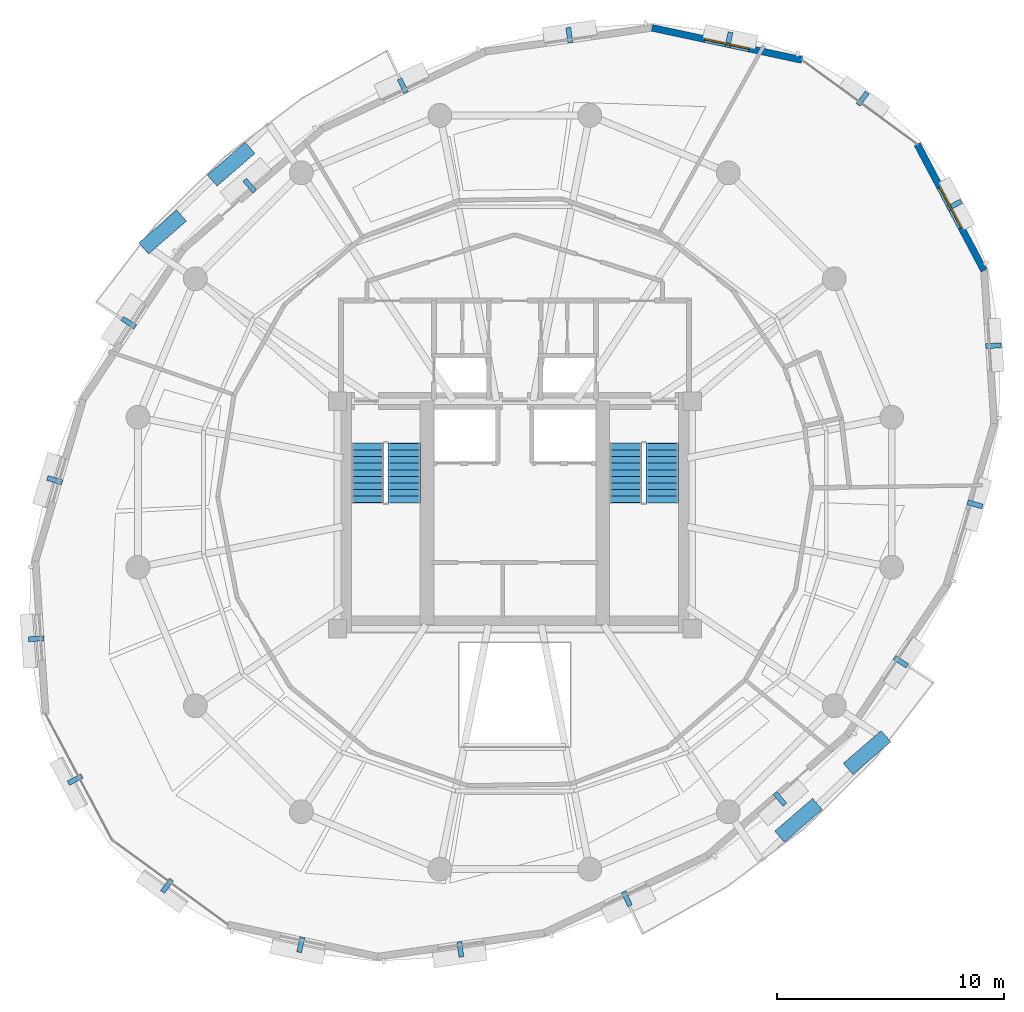
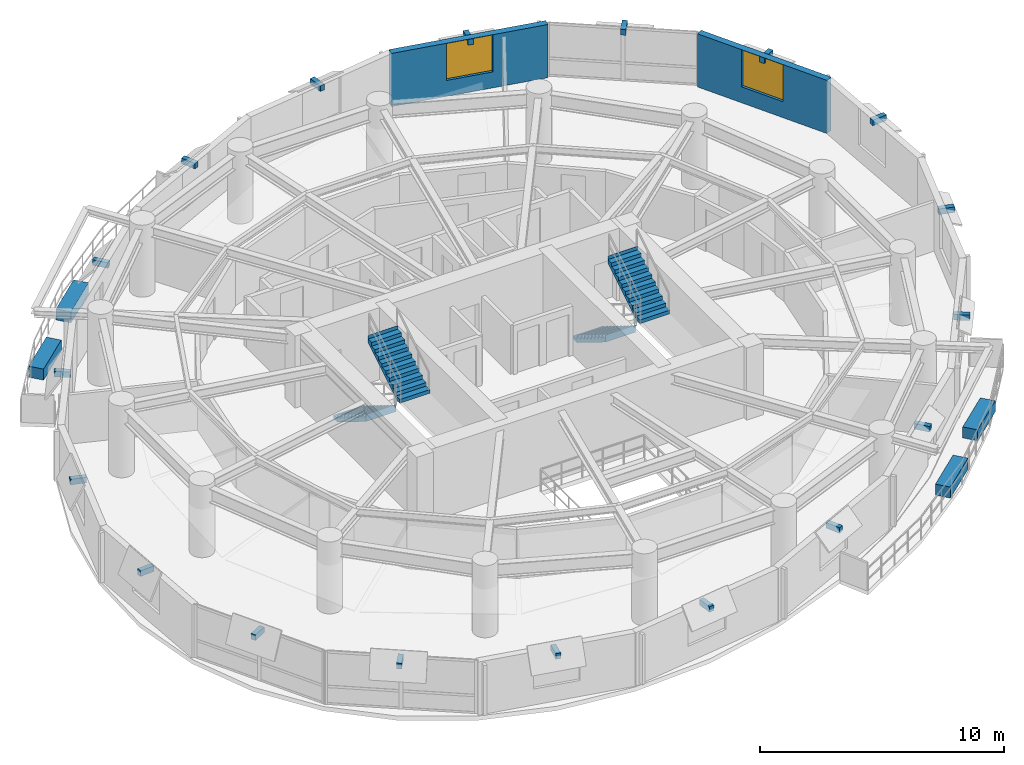
# One storey, part 10 of 12: 22 discrete accessories, 4 stair flights, 2 walls, 2 windows, 2 openings, 2 elements without a shape of their own.
"""IFC4 building model written with IfcOpenShell, lengths in metres."""

from ifc_helpers import new_model, si_unit, direction, frame, frame_2d, origin, origin_2d, place, context, subcontext, project, spatial, polyline, rectangle, outline, extrude, material, layer, layer_set, type_object, element, fill, aggregate, save


model = new_model("IFC4")

# Units and contexts
model_context = context("Model", 3, precision=1e-05, world=origin(), true_north=direction((0.0, 1.0)))
body_context = subcontext(model_context, "Body", "Model", "MODEL_VIEW")
ifc_project = project(units=[si_unit("LENGTHUNIT", "METRE"), si_unit("AREAUNIT", "SQUARE_METRE"), si_unit("VOLUMEUNIT", "CUBIC_METRE"), si_unit("PLANEANGLEUNIT", "RADIAN"), si_unit("MASSUNIT", "GRAM", prefix="KILO"), si_unit("THERMODYNAMICTEMPERATUREUNIT", "KELVIN"), si_unit("POWERUNIT", "WATT")], contexts=[model_context])

# Site, building, storey
site_placement = place(None, origin())
site = spatial("IfcSite", under=ifc_project, at=site_placement, CompositionType="ELEMENT")
building_placement = place(site_placement, origin())
building = spatial("IfcBuilding", under=site, at=building_placement, Name="Ocrelia Relay Tower", CompositionType="ELEMENT")
storey_placement = place(building_placement, frame((0.0, 0.0, 202.39990234375)))
storey = spatial("IfcBuildingStorey", under=building, at=storey_placement, Name="L49", CompositionType="ELEMENT", Elevation=202.39990234375)

# Wall, opening, window
ifc_material_1 = material(Name="Precast concrete C40/50 with oxide terracotta", Category="masonry")
ifc_layer = layer(ifc_material_1, 0.300048828125, Name="Precast concrete C40/50 with oxide terracotta")
ifc_layer_set = layer_set([ifc_layer], Name="Precast concrete C40/50 with oxide terracotta")
wall_type = type_object("IfcWallType", Name="W-EXT-TERR-300", PredefinedType="SOLIDWALL", material=ifc_layer_set)
wall_1_placement = place(storey_placement, frame((46.62841796875, 45.013427734375, 0.0), z_axis=(0.0, 0.0, 1.0), x_axis=(-0.977761608879, 0.209719422569, 0.0)))
wall_1 = element("IfcWall", 1, at=wall_1_placement, inside=storey, type_object=wall_type, Name="L49 Oxide Terracotta Facade Wall 02", PredefinedType="SOLIDWALL", context=body_context, shape_type="SweptSolid", body=[
    extrude(rectangle(XDim=6.744873046875, YDim=0.300048828125, at=frame_2d((3.37255859375, 0.0))), origin(), (0.0, 0.0, 1.0), 2.66015625),
])
opening_1_placement = place(wall_1_placement, frame((2.373046875, 0.0, 0.800048828125)))
opening_1 = element("IfcOpeningElement", 2, at=opening_1_placement, cuts=wall_1, Name="Opening W-03", PredefinedType="OPENING", context=body_context, shape_type="SweptSolid", body=[
    extrude(rectangle(XDim=2.0, YDim=1.85009765625, at=frame_2d((1.0, 0.925048828125))), frame((0.0, 0.16015625, 0.0), z_axis=(0.0, -1.0, 0.0), x_axis=(1.0, 0.0, 0.0)), (0.0, 0.0, 1.0), 0.320068359375),
])
ifc_material_2 = material(Name="Clear double-glazed low-E glass", Category="glass")
window_type = type_object("IfcWindowType", Name="WIN-Z3-2000x2200", PartitioningType="DOUBLE_PANEL_VERTICAL", PredefinedType="WINDOW", material=ifc_material_2)
window_1_placement = place(opening_1_placement, origin())
window_1 = element("IfcWindow", 3, at=window_1_placement, inside=storey, type_object=window_type, Name="L49 Facade Module Window 02", OverallHeight=1.85009765625, OverallWidth=2.0, PartitioningType="SINGLE_PANEL", PredefinedType="WINDOW", context=body_context, shape_type="SweptSolid", body=[
    extrude(rectangle(XDim=2.0, YDim=1.85009765625, at=frame_2d((1.0, 0.925048828125))), frame((0.0, 0.030029296875, 0.0), z_axis=(0.0, -1.0, 0.0), x_axis=(1.0, 0.0, 0.0)), (0.0, 0.0, 1.0), 0.06005859375),
])
fill(opening_1, window_1)

wall_2_placement = place(storey_placement, frame((54.63720703125, 35.75146484375, 0.0), z_axis=(0.0, 0.0, 1.0), x_axis=(-0.467475237655, 0.884006166369, 0.0)))
wall_2 = element("IfcWall", 4, at=wall_2_placement, inside=storey, type_object=wall_type, Name="L49 Oxide Terracotta Facade Wall 18", PredefinedType="SOLIDWALL", context=body_context, shape_type="SweptSolid", body=[
    extrude(rectangle(XDim=6.28271484375, YDim=0.300048828125, at=frame_2d((3.141357421875, 0.0))), origin(), (0.0, 0.0, 1.0), 2.66015625),
])
opening_2_placement = place(wall_2_placement, frame((2.14111328125, 0.0, 0.800048828125)))
opening_2 = element("IfcOpeningElement", 5, at=opening_2_placement, cuts=wall_2, Name="Opening W-03", PredefinedType="OPENING", context=body_context, shape_type="SweptSolid", body=[
    extrude(rectangle(XDim=2.0, YDim=1.85009765625, at=frame_2d((1.0, 0.925048828125))), frame((0.0, 0.16015625, 0.0), z_axis=(0.0, -1.0, 0.0), x_axis=(1.0, 0.0, 0.0)), (0.0, 0.0, 1.0), 0.320068359375),
])
window_2_placement = place(opening_2_placement, origin())
window_2 = element("IfcWindow", 6, at=window_2_placement, inside=storey, type_object=window_type, Name="L49 Facade Module Window 18", OverallHeight=1.85009765625, OverallWidth=2.0, PartitioningType="SINGLE_PANEL", PredefinedType="WINDOW", context=body_context, shape_type="SweptSolid", body=[
    extrude(rectangle(XDim=2.0, YDim=1.85009765625, at=frame_2d((1.0, 0.925048828125))), frame((0.0, 0.030029296875, 0.0), z_axis=(0.0, -1.0, 0.0), x_axis=(1.0, 0.0, 0.0)), (0.0, 0.0, 1.0), 0.06005859375),
])
fill(opening_2, window_2)

# Stair, stair flights
ifc_material_3 = material(Name="Concrete C50/60", Category="concrete")
stair_type = type_object("IfcStairType", Name="ST-DL-1420-R180", PredefinedType="HALF_TURN_STAIR", material=ifc_material_3)
stair_1_placement = place(storey_placement, origin())
stair_1 = element("IfcStair", 7, at=stair_1_placement, inside=storey, type_object=stair_type, Name="L49 West Core Exit Stair ST1", PredefinedType="HALF_TURN_STAIR")
stair_flight_type = type_object("IfcStairFlightType", Name="STF-DL-1420-R180", PredefinedType="STRAIGHT", material=ifc_material_3)
stair_flight_1_placement = place(storey_placement, frame((27.52001953125, 28.14990234375, 0.0), z_axis=(0.0, 0.0, 1.0), x_axis=(0.0, -1.0, 0.0)))
stair_flight_1 = element("IfcStairFlight", 8, at=stair_flight_1_placement, type_object=stair_flight_type, Name="ST1 flight 1", NumberOfRisers=10, NumberOfTreads=9, PredefinedType="STRAIGHT", RiserHeight=0.18, TreadLength=0.29, context=body_context, shape_type="SweptSolid", body=[
    extrude(outline(polyline([(-0.008056640625, 0.0), (-0.008056640625, 0.179931640625), (0.0, 0.179931640625), (0.2900390625, 0.179931640625), (0.2900390625, 0.360107421875), (0.580078125, 0.360107421875), (0.580078125, 0.5400390625), (0.8701171875, 0.5400390625), (0.8701171875, 0.719970703125), (1.159912109375, 0.719970703125), (1.159912109375, 0.89990234375), (1.449951171875, 0.89990234375), (1.449951171875, 1.080078125), (1.739990234375, 1.080078125), (1.739990234375, 1.260009765625), (2.030029296875, 1.260009765625), (2.030029296875, 1.43994140625), (2.320068359375, 1.43994140625), (2.320068359375, 1.6201171875), (2.610107421875, 1.6201171875), (2.610107421875, 1.800048828125), (2.617919921875, 1.800048828125), (2.617919921875, 1.443603515625), (0.2841796875, 0.0), (-0.008056640625, 0.0)])), frame((0.0, 0.7099609375, 0.0), z_axis=(0.0, -1.0, 0.0), x_axis=(1.0, 0.0, 0.0)), (0.0, 0.0, 1.0), 1.419921875),
])
stair_flight_2_placement = place(storey_placement, frame((29.139892578125, 25.5400390625, 1.800048828125), z_axis=(0.0, 0.0, 1.0), x_axis=(0.0, 1.0, 0.0)))
stair_flight_2 = element("IfcStairFlight", 9, at=stair_flight_2_placement, type_object=stair_flight_type, Name="ST1 flight 2", NumberOfRisers=10, NumberOfTreads=9, PredefinedType="STRAIGHT", RiserHeight=0.18, TreadLength=0.29, context=body_context, shape_type="SweptSolid", body=[
    extrude(outline(polyline([(-0.008056640625, 0.0), (-0.008056640625, 0.179931640625), (0.0, 0.179931640625), (0.2900390625, 0.179931640625), (0.2900390625, 0.360107421875), (0.580078125, 0.360107421875), (0.580078125, 0.5400390625), (0.8701171875, 0.5400390625), (0.8701171875, 0.719970703125), (1.159912109375, 0.719970703125), (1.159912109375, 0.89990234375), (1.449951171875, 0.89990234375), (1.449951171875, 1.080078125), (1.739990234375, 1.080078125), (1.739990234375, 1.260009765625), (2.030029296875, 1.260009765625), (2.030029296875, 1.43994140625), (2.320068359375, 1.43994140625), (2.320068359375, 1.6201171875), (2.610107421875, 1.6201171875), (2.610107421875, 1.800048828125), (2.617919921875, 1.800048828125), (2.617919921875, 1.443603515625), (0.2841796875, 0.0), (-0.008056640625, 0.0)])), frame((0.0, 0.7099609375, 0.0), z_axis=(0.0, -1.0, 0.0), x_axis=(1.0, 0.0, 0.0)), (0.0, 0.0, 1.0), 1.419921875),
])
aggregate(stair_1, [stair_flight_1, stair_flight_2])

stair_2_placement = place(storey_placement, origin())
stair_2 = element("IfcStair", 10, at=stair_2_placement, inside=storey, type_object=stair_type, Name="L49 East Core Exit Stair ST2", PredefinedType="HALF_TURN_STAIR")
stair_flight_3_placement = place(storey_placement, frame((38.8701171875, 28.14990234375, 0.0), z_axis=(0.0, 0.0, 1.0), x_axis=(0.0, -1.0, 0.0)))
stair_flight_3 = element("IfcStairFlight", 11, at=stair_flight_3_placement, type_object=stair_flight_type, Name="ST2 flight 1", NumberOfRisers=10, NumberOfTreads=9, PredefinedType="STRAIGHT", RiserHeight=0.18, TreadLength=0.29, context=body_context, shape_type="SweptSolid", body=[
    extrude(outline(polyline([(-0.008056640625, 0.0), (-0.008056640625, 0.179931640625), (0.0, 0.179931640625), (0.2900390625, 0.179931640625), (0.2900390625, 0.360107421875), (0.580078125, 0.360107421875), (0.580078125, 0.5400390625), (0.8701171875, 0.5400390625), (0.8701171875, 0.719970703125), (1.159912109375, 0.719970703125), (1.159912109375, 0.89990234375), (1.449951171875, 0.89990234375), (1.449951171875, 1.080078125), (1.739990234375, 1.080078125), (1.739990234375, 1.260009765625), (2.030029296875, 1.260009765625), (2.030029296875, 1.43994140625), (2.320068359375, 1.43994140625), (2.320068359375, 1.6201171875), (2.610107421875, 1.6201171875), (2.610107421875, 1.800048828125), (2.617919921875, 1.800048828125), (2.617919921875, 1.443603515625), (0.2841796875, 0.0), (-0.008056640625, 0.0)])), frame((0.0, 0.7099609375, 0.0), z_axis=(0.0, -1.0, 0.0), x_axis=(1.0, 0.0, 0.0)), (0.0, 0.0, 1.0), 1.419921875),
])
stair_flight_4_placement = place(storey_placement, frame((40.489990234375, 25.5400390625, 1.800048828125), z_axis=(0.0, 0.0, 1.0), x_axis=(0.0, 1.0, 0.0)))
stair_flight_4 = element("IfcStairFlight", 12, at=stair_flight_4_placement, type_object=stair_flight_type, Name="ST2 flight 2", NumberOfRisers=10, NumberOfTreads=9, PredefinedType="STRAIGHT", RiserHeight=0.18, TreadLength=0.29, context=body_context, shape_type="SweptSolid", body=[
    extrude(outline(polyline([(-0.008056640625, 0.0), (-0.008056640625, 0.179931640625), (0.0, 0.179931640625), (0.2900390625, 0.179931640625), (0.2900390625, 0.360107421875), (0.580078125, 0.360107421875), (0.580078125, 0.5400390625), (0.8701171875, 0.5400390625), (0.8701171875, 0.719970703125), (1.159912109375, 0.719970703125), (1.159912109375, 0.89990234375), (1.449951171875, 0.89990234375), (1.449951171875, 1.080078125), (1.739990234375, 1.080078125), (1.739990234375, 1.260009765625), (2.030029296875, 1.260009765625), (2.030029296875, 1.43994140625), (2.320068359375, 1.43994140625), (2.320068359375, 1.6201171875), (2.610107421875, 1.6201171875), (2.610107421875, 1.800048828125), (2.617919921875, 1.800048828125), (2.617919921875, 1.443603515625), (0.2841796875, 0.0), (-0.008056640625, 0.0)])), frame((0.0, 0.7099609375, 0.0), z_axis=(0.0, -1.0, 0.0), x_axis=(1.0, 0.0, 0.0)), (0.0, 0.0, 1.0), 1.419921875),
])
aggregate(stair_2, [stair_flight_3, stair_flight_4])

# Discrete accessories
ifc_material_4 = material(Name="Precast concrete C40/50 planter with highland greenery", Category="concrete")
discrete_accessory_type_1 = type_object("IfcDiscreteAccessoryType", Name="ACC-BALC-PLANTER", PredefinedType="USERDEFINED", material=ifc_material_4)
for number, where, z_axis, x_axis, name in (
    (13, (21.521728515625, 40.4306640625, 0.0), (0.0, 0.0, 1.0), (0.756424739539, 0.654080739216, 0.0), "L49 Balcony Terracotta Planter with Greenery B1"),
    (14, (18.50830078125, 37.449462890625, 0.0), (0.0, 0.0, 1.0), (0.756424739539, 0.654080739216, 0.0), "L49 Balcony Terracotta Planter B1-2"),
    (15, (46.478271484375, 11.5693359375, 0.0), (0.0, 0.0, 1.0), (-0.756424739539, -0.654080739216, 0.0), "L49 Balcony Terracotta Planter with Greenery B2"),
    (16, (49.49169921875, 14.550537109375, 0.0), (0.0, 0.0, 1.0), (-0.756424739539, -0.654080739216, 0.0), "L49 Balcony Terracotta Planter B2-2"),
):
    element("IfcDiscreteAccessory", number, at=place(storey_placement, frame(where, z_axis=z_axis, x_axis=x_axis)), inside=storey, type_object=discrete_accessory_type_1, Name=name, ObjectType="PLANTER", PredefinedType="USERDEFINED", context=body_context, shape_type="SweptSolid", body=[
        extrude(rectangle(XDim=2.199951171875, YDim=0.64990234375, at=origin_2d()), origin(), (0.0, 0.0, 1.0), 0.550048828125),
    ])
ifc_material_5 = material(Name="Steel S355", Category="steel")
discrete_accessory_type_2 = type_object("IfcDiscreteAccessoryType", Name="ACC-VISOR-BRACKET", PredefinedType="BRACKET", material=ifc_material_5)
for number, where, z_axis, x_axis, name in (
    (17, (49.296875, 43.309326171875, 2.35986328125), (0.0, 0.0, 1.0), (-0.807270953997, 0.590180994977, 0.0), "L49 Visor Mounting Bracket 01"),
    (18, (43.41650390625, 45.901611328125, 2.35986328125), (0.0, 0.0, 1.0), (-0.977760303594, 0.209725508024, 0.0), "L49 Visor Mounting Bracket 02"),
    (19, (36.395751953125, 46.101806640625, 2.35986328125), (0.0, 0.0, 1.0), (-0.989889113848, -0.141843372372, 0.0), "L49 Visor Mounting Bracket 03"),
    (20, (29.073974609375, 43.878173828125, 2.35986328125), (0.0, 0.0, 1.0), (-0.90414687282, -0.427221760178, 0.0), "L49 Visor Mounting Bracket 04"),
    (21, (22.339111328125, 39.485595703125, 2.35986328125), (0.0, 0.0, 1.0), (-0.756423064064, -0.654082676847, 0.0), "L49 Visor Mounting Bracket 05"),
    (22, (17.020263671875, 33.455322265625, 2.35986328125), (0.0, 0.0, 1.0), (-0.553267090786, -0.83300391731, 0.0), "L49 Visor Mounting Bracket 06"),
    (23, (13.7626953125, 26.53125, 2.35986328125), (0.0, 0.0, 1.0), (-0.283258827519, -0.959043500907, 0.0), "L49 Visor Mounting Bracket 07"),
    (24, (12.947509765625, 19.55517578125, 2.35986328125), (0.0, 0.0, 1.0), (0.066374361501, -0.997794790593, 0.0), "L49 Visor Mounting Bracket 08"),
    (25, (14.663818359375, 13.362060546875, 2.35986328125), (0.0, 0.0, 1.0), (0.467470825278, -0.884008499684, 0.0), "L49 Visor Mounting Bracket 09"),
    (26, (18.703125, 8.690673828125, 2.35986328125), (0.0, 0.0, 1.0), (0.807270953997, -0.590180994977, 0.0), "L49 Visor Mounting Bracket 10"),
    (27, (24.58349609375, 6.098388671875, 2.35986328125), (0.0, 0.0, 1.0), (0.977760303594, -0.209725508024, 0.0), "L49 Visor Mounting Bracket 11"),
    (28, (31.604248046875, 5.898193359375, 2.35986328125), (0.0, 0.0, 1.0), (0.989889113848, 0.141843372372, 0.0), "L49 Visor Mounting Bracket 12"),
    (29, (38.926025390625, 8.121826171875, 2.35986328125), (0.0, 0.0, 1.0), (0.90414687282, 0.427221760178, 0.0), "L49 Visor Mounting Bracket 13"),
    (30, (45.660888671875, 12.514404296875, 2.35986328125), (0.0, 0.0, 1.0), (0.756423064064, 0.654082676847, 0.0), "L49 Visor Mounting Bracket 14"),
    (31, (50.979736328125, 18.544677734375, 2.35986328125), (0.0, 0.0, 1.0), (0.553267090786, 0.83300391731, 0.0), "L49 Visor Mounting Bracket 15"),
    (32, (54.2373046875, 25.46875, 2.35986328125), (0.0, 0.0, 1.0), (0.283258827519, 0.959043500907, 0.0), "L49 Visor Mounting Bracket 16"),
    (33, (55.052490234375, 32.44482421875, 2.35986328125), (0.0, 0.0, 1.0), (-0.066374361501, 0.997794790593, 0.0), "L49 Visor Mounting Bracket 17"),
    (34, (53.336181640625, 38.637939453125, 2.35986328125), (0.0, 0.0, 1.0), (-0.467470825278, 0.884008499684, 0.0), "L49 Visor Mounting Bracket 18"),
):
    element("IfcDiscreteAccessory", number, at=place(storey_placement, frame(where, z_axis=z_axis, x_axis=x_axis)), inside=storey, type_object=discrete_accessory_type_2, Name=name, PredefinedType="BRACKET", context=body_context, shape_type="SweptSolid", body=[
        extrude(rectangle(XDim=0.219970703125, YDim=0.679931640625, at=origin_2d()), origin(), (0.0, 0.0, 1.0), 0.280029296875),
    ])

save(model, "model.ifc")
